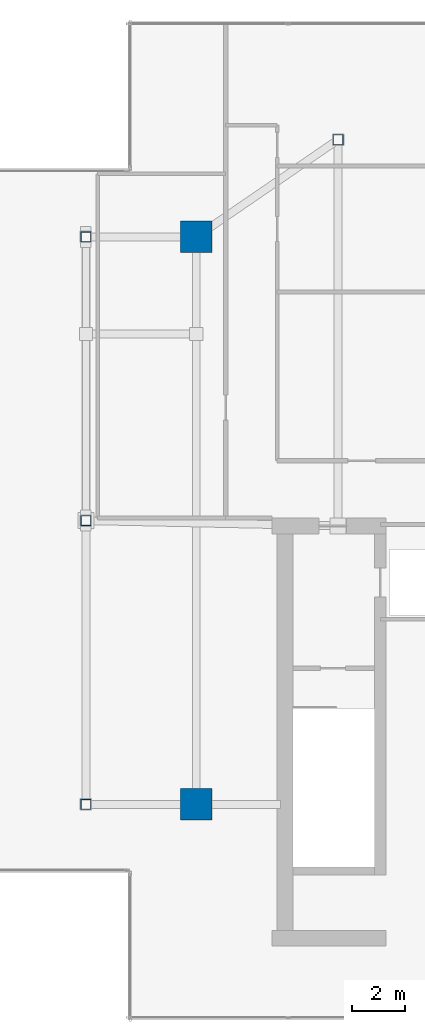
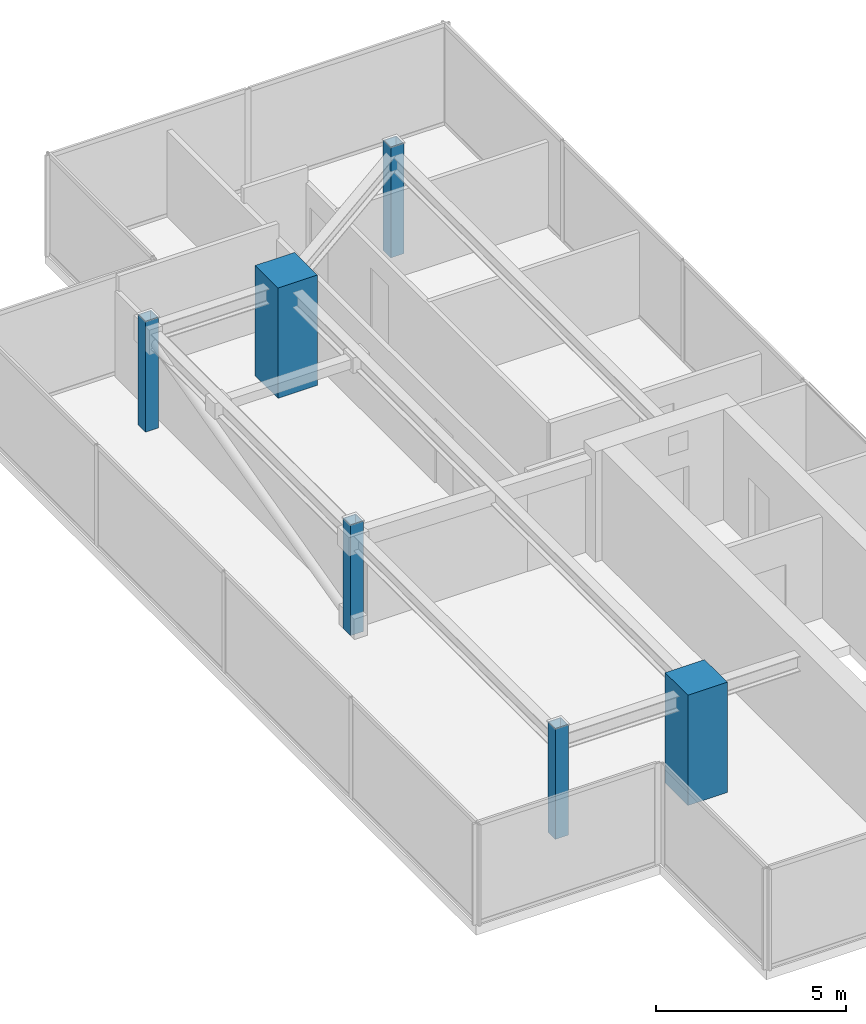
# One storey, part 1 of 16: 6 columns.
"""IFC4 building model written with IfcOpenShell, lengths in metres."""

import ifcopenshell
import ifcopenshell.guid

model = None  # the IFC model being written
_history = None  # IfcOwnerHistory: only IFC2X3 demands one
_inside = {}  # id of a spatial element -> (the spatial element, [elements in it])
_under = {}  # id of a project, library or spatial element -> (it, [spatial elements below it])
_declared = {}  # id of a project -> (the project, [libraries it declares])
_typed = {}  # id of a type object -> (the type object, [elements of that type])
_made_of = {}  # id of a material, layer set ... -> (it, [elements and type objects made of it])


def new_model(schema):
    """Start an empty IFC model of exactly this schema.

    Asked for "IFC4X3", IfcOpenShell would pick the latest addendum, in which some entities
    have other attributes; the version numbers below select the first issue.
    IFC2X3 requires an IfcOwnerHistory on every rooted entity: one is made here for all.
    """
    global model, _history
    if schema == "IFC4X3":
        model = ifcopenshell.file(schema_version=(4, 3, 0, 0))
    else:
        model = ifcopenshell.file(schema=schema)
    _inside.clear()
    _under.clear()
    _declared.clear()
    _typed.clear()
    _made_of.clear()
    _history = None
    if model.schema == "IFC2X3":
        org = make("IfcOrganization", Name="unknown")
        user = make(
            "IfcPersonAndOrganization",
            ThePerson=make("IfcPerson", FamilyName="unknown"),
            TheOrganization=org,
        )
        app = make(
            "IfcApplication",
            ApplicationDeveloper=org,
            Version="unknown",
            ApplicationFullName="unknown",
            ApplicationIdentifier="unknown",
        )
        _history = make(
            "IfcOwnerHistory",
            OwningUser=user,
            OwningApplication=app,
            ChangeAction="ADDED",
            CreationDate=0,
        )
    return model


def make(cls, **values):
    """One entity of the class cls with the attributes given. An attribute that is None is left unset."""
    return model.create_entity(
        cls, **{name: value for name, value in values.items() if value is not None}
    )


def rooted(cls, **values):
    """An entity with a GlobalId (a new one), such as an element, a storey or a relation."""
    return make(cls, GlobalId=ifcopenshell.guid.new(), OwnerHistory=_history, **values)


def si_unit(unit_type, name, prefix=None):
    """IfcSIUnit, for example si_unit("LENGTHUNIT", "METRE", prefix="MILLI")."""
    return make("IfcSIUnit", UnitType=unit_type, Prefix=prefix, Name=name)


def assignment(units):
    """IfcUnitAssignment: the units of a project."""
    return None if units is None else make("IfcUnitAssignment", Units=units)


def point(xyz):
    """IfcCartesianPoint."""
    return None if xyz is None else make("IfcCartesianPoint", Coordinates=xyz)


def direction(xyz):
    """IfcDirection."""
    return None if xyz is None else make("IfcDirection", DirectionRatios=xyz)


def frame(location, z_axis=None, x_axis=None):
    """IfcAxis2Placement3D, a coordinate frame: its origin and axes. An axis left out is left unset."""
    return make(
        "IfcAxis2Placement3D",
        Location=point(location),
        Axis=direction(z_axis),
        RefDirection=direction(x_axis),
    )


def frame_2d(location, x_axis=None):
    """IfcAxis2Placement2D, a coordinate frame in the plane: its origin and x axis."""
    return make(
        "IfcAxis2Placement2D", Location=point(location), RefDirection=direction(x_axis)
    )


def origin():
    """The frame at (0, 0, 0) with its axes left unset."""
    return frame((0.0, 0.0, 0.0))


def origin_2d():
    """The frame at (0, 0) in the plane with its x axis left unset."""
    return frame_2d((0.0, 0.0))


def place(relative_to, where):
    """IfcLocalPlacement: puts the frame where relative to a parent placement (None: the world)."""
    return make(
        "IfcLocalPlacement", PlacementRelTo=relative_to, RelativePlacement=where
    )


def context(
    kind, dimensions, precision=None, world=None, true_north=None, identifier=None
):
    """IfcGeometricRepresentationContext, for example the 3D "Model" context."""
    return make(
        "IfcGeometricRepresentationContext",
        ContextIdentifier=identifier,
        ContextType=kind,
        CoordinateSpaceDimension=dimensions,
        Precision=precision,
        WorldCoordinateSystem=world,
        TrueNorth=true_north,
    )


def subcontext(parent, identifier, kind, view, scale=None):
    """IfcGeometricRepresentationSubContext, for example "Body" below "Model"."""
    return make(
        "IfcGeometricRepresentationSubContext",
        ContextIdentifier=identifier,
        ContextType=kind,
        ParentContext=parent,
        TargetScale=scale,
        TargetView=view,
    )


def project(units=None, contexts=None):
    """IfcProject with its units and contexts."""
    return rooted(
        "IfcProject",
        Name="project",
        RepresentationContexts=contexts,
        UnitsInContext=assignment(units),
    )


def spatial(cls, under=None, at=None, **own):
    """A site, building, storey or space (cls), placed at a placement, below another one or the project."""
    s = rooted(cls, ObjectPlacement=at, **own)
    if under is not None:
        _under.setdefault(under.id(), (under, []))[1].append(s)
    return s


def profile(cls, at=None, kind="AREA", **sizes):
    """A parametric profile (cls). Its sizes go by their IFC names, for example OverallWidth=200.0."""
    return make(cls, ProfileType=kind, Position=at, **sizes)


def rectangle(**sizes):
    """IfcRectangleProfileDef."""
    return profile("IfcRectangleProfileDef", **sizes)


def hollow_rectangle(**sizes):
    """IfcRectangleHollowProfileDef."""
    return profile("IfcRectangleHollowProfileDef", **sizes)


def extrude(swept, where, along, depth):
    """IfcExtrudedAreaSolid: the profile swept, set in the frame where, extruded along a direction by depth."""
    return make(
        "IfcExtrudedAreaSolid",
        SweptArea=swept,
        Position=where,
        ExtrudedDirection=direction(along),
        Depth=depth,
    )


def shape(context_of_items, identifier, shape_type, items):
    """IfcShapeRepresentation: the items that make up one representation, for example the "Body"."""
    return make(
        "IfcShapeRepresentation",
        ContextOfItems=context_of_items,
        RepresentationIdentifier=identifier,
        RepresentationType=shape_type,
        Items=items,
    )


def source(mapping_origin, context_of_items, identifier, shape_type, items):
    """IfcRepresentationMap: a shape defined once, which mapped items show again and again."""
    return make(
        "IfcRepresentationMap",
        MappingOrigin=mapping_origin,
        MappedRepresentation=shape(context_of_items, identifier, shape_type, items),
    )


def transform(
    local_origin,
    x_axis=None,
    y_axis=None,
    z_axis=None,
    scale=None,
    scale2=None,
    scale3=None,
    uniform=True,
):
    """IfcCartesianTransformationOperator3D, or its non-uniform kind. x_axis, y_axis, z_axis: its Axis1, 2, 3."""
    if uniform:
        return make(
            "IfcCartesianTransformationOperator3D",
            Axis1=direction(x_axis),
            Axis2=direction(y_axis),
            LocalOrigin=point(local_origin),
            Scale=scale,
            Axis3=direction(z_axis),
        )
    return make(
        "IfcCartesianTransformationOperator3DnonUniform",
        Axis1=direction(x_axis),
        Axis2=direction(y_axis),
        LocalOrigin=point(local_origin),
        Scale=scale,
        Axis3=direction(z_axis),
        Scale2=scale2,
        Scale3=scale3,
    )


def mapped(mapping_source, mapping_target):
    """IfcMappedItem: shows the shape of a source again, moved by a transform."""
    return make(
        "IfcMappedItem", MappingSource=mapping_source, MappingTarget=mapping_target
    )


def material(Name=None, Category=None):
    """IfcMaterial."""
    return make("IfcMaterial", Name=Name, Category=Category)


def material_profile(
    of_material, cross_section, Name=None, Category=None, Priority=None
):
    """IfcMaterialProfile: a cross section and its material."""
    return make(
        "IfcMaterialProfile",
        Name=Name,
        Material=of_material,
        Profile=cross_section,
        Priority=Priority,
        Category=Category,
    )


def profile_set(profiles, Name=None, composite=None):
    """IfcMaterialProfileSet."""
    return make(
        "IfcMaterialProfileSet",
        Name=Name,
        MaterialProfiles=profiles,
        CompositeProfile=composite,
    )


def made_of(thing, what):
    """Note that an element or type object is made of a material, layer set ...; save() writes the relation."""
    if what is not None:
        _made_of.setdefault(what.id(), (what, []))[1].append(thing)
    return thing


def type_object(cls, material=None, **own):
    """A type object (cls), such as IfcWallType, which elements share."""
    return made_of(rooted(cls, **own), material)


def type_shapes(of_type, sources):
    """Give a type object the sources (RepresentationMaps) that its elements show as mapped items."""
    of_type.RepresentationMaps = sources


def element(
    cls,
    number,
    at=None,
    inside=None,
    cuts=None,
    type_object=None,
    material=None,
    context=None,
    identifier="Body",
    shape_type=None,
    held_by="IfcProductDefinitionShape",
    body=None,
    shapes=None,
    **own,
):
    """One element of the class cls, such as IfcWall. Its Tag is "e" and its number.

    at: its placement. inside: the storey or other place that contains it. cuts: it is an
    opening in that element (IfcRelVoidsElement). A single representation is given by context,
    identifier, shape_type and body (its items); several are given by shapes. held_by: the class
    of the entity that holds the representations. save() writes the other relations.
    """
    e = rooted(cls, Tag="e%d" % number, ObjectPlacement=at, **own)
    if body is not None:
        shapes = [shape(context, identifier, shape_type, body)]
    if shapes is not None:
        e.Representation = make(held_by, Representations=shapes)
    if inside is not None:
        _inside.setdefault(inside.id(), (inside, []))[1].append(e)
    if cuts is not None:
        rooted(
            "IfcRelVoidsElement", RelatingBuildingElement=cuts, RelatedOpeningElement=e
        )
    if type_object is not None:
        _typed.setdefault(type_object.id(), (type_object, []))[1].append(e)
    return made_of(e, material)


def aggregate(whole, parts):
    """IfcRelAggregates: a whole, such as a stair, and the parts it consists of."""
    return rooted("IfcRelAggregates", RelatingObject=whole, RelatedObjects=parts)


def save(model, path):
    """Write the relations noted so far, then the file.

    IfcRelAggregates (storeys below a building ...), IfcRelContainedInSpatialStructure (elements
    in a storey), IfcRelDefinesByType, IfcRelAssociatesMaterial and IfcRelDeclares: one each for
    every whole, place, type object, material and project.
    """
    for whole, parts in _under.values():
        aggregate(whole, parts)
    for where, things in _inside.values():
        rooted(
            "IfcRelContainedInSpatialStructure",
            RelatedElements=things,
            RelatingStructure=where,
        )
    for kind, things in _typed.values():
        rooted("IfcRelDefinesByType", RelatedObjects=things, RelatingType=kind)
    for what, things in _made_of.values():
        rooted("IfcRelAssociatesMaterial", RelatedObjects=things, RelatingMaterial=what)
    for by, libraries in _declared.values():
        rooted("IfcRelDeclares", RelatingContext=by, RelatedDefinitions=libraries)
    model.write(path)


model = new_model("IFC4")

# Units and contexts
model_context = context("Model", 3, precision=1e-05, world=origin(), true_north=direction((0.0, 1.0)))
body_context = subcontext(model_context, "Body", "Model", "MODEL_VIEW")
ifc_project = project(units=[si_unit("LENGTHUNIT", "METRE"), si_unit("AREAUNIT", "SQUARE_METRE"), si_unit("VOLUMEUNIT", "CUBIC_METRE"), si_unit("PLANEANGLEUNIT", "RADIAN"), si_unit("MASSUNIT", "GRAM", prefix="KILO")], contexts=[model_context])

# Site, building, storey
site_placement = place(None, origin())
site = spatial("IfcSite", under=ifc_project, at=site_placement, CompositionType="ELEMENT")
building_placement = place(site_placement, origin())
building = spatial("IfcBuilding", under=site, at=building_placement, Name="Krantzveldt Concourse Tower", CompositionType="ELEMENT")
storey_placement = place(building_placement, frame((0.0, 0.0, 385.449951171875)))
storey = spatial("IfcBuildingStorey", under=building, at=storey_placement, Name="L95", CompositionType="ELEMENT", Elevation=385.449951171875)

# Columns
ifc_material_1 = material(Name="Concrete C50/60", Category="concrete")
ifc_material_profile_1 = material_profile(ifc_material_1, rectangle(XDim=1.199951171875, YDim=1.199951171875, at=origin_2d()), Name="Concrete C50/60", Category="concrete")
ifc_profile_set_1 = profile_set([ifc_material_profile_1], Name="Concrete C50/60 - RC 1200x1200")
column_type_1 = type_object("IfcColumnType", Name="COL-MC-1200", PredefinedType="USERDEFINED", material=ifc_profile_set_1)
shared_shape_1 = source(origin(), body_context, "Body", "SweptSolid", [
    extrude(rectangle(XDim=1.199951171875, YDim=1.199951171875, at=origin_2d()), origin(), (0.0, 0.0, 1.0), 3.550048828125),
])
type_shapes(column_type_1, [shared_shape_1])
for number, where, z_axis, x_axis, name in (
    (1, (25.199951171875, 15.89990234375, 0.0), (0.0, 0.0, 1.0), (1.0, 0.0, 0.0), "MC-SW-L95"),
    (2, (25.199951171875, 37.5, 0.0), (0.0, 0.0, 1.0), (1.0, 0.0, 0.0), "MC-NW-L95"),
):
    element("IfcColumn", number, at=place(storey_placement, frame(where, z_axis=z_axis, x_axis=x_axis)), inside=storey, type_object=column_type_1, Name=name, ObjectType="MEGA COLUMN", PredefinedType="USERDEFINED", context=body_context, shape_type="MappedRepresentation", body=[
        mapped(shared_shape_1, transform((0.0, 0.0, 0.0), x_axis=(1.0, 0.0, 0.0), y_axis=(0.0, 1.0, 0.0), z_axis=(0.0, 0.0, 1.0), scale=1.0)),
    ])
ifc_material_2 = material(Name="Steel S355J2", Category="steel")
ifc_material_profile_2 = material_profile(ifc_material_2, hollow_rectangle(XDim=0.39990234375, YDim=0.39990234375, WallThickness=0.02490234375, at=origin_2d()), Name="Steel S355J2", Category="steel")
ifc_profile_set_2 = profile_set([ifc_material_profile_2], Name="Steel S355J2 - SHS 400x400x25")
column_type_2 = type_object("IfcColumnType", Name="COL-SC-SHS400", PredefinedType="COLUMN", material=ifc_profile_set_2)
shared_shape_2 = source(origin(), body_context, "Body", "SweptSolid", [
    extrude(hollow_rectangle(XDim=0.39990234375, YDim=0.39990234375, WallThickness=0.02490234375, at=origin_2d()), origin(), (0.0, 0.0, 1.0), 3.550048828125),
])
type_shapes(column_type_2, [shared_shape_2])
for number, where, z_axis, x_axis, name in (
    (3, (21.0, 15.89990234375, 0.0), (0.0, 0.0, 1.0), (1.0, 0.0, 0.0), "CC-L95-W1"),
    (4, (21.0, 26.699951171875, 0.0), (0.0, 0.0, 1.0), (1.0, 0.0, 0.0), "CC-L95-W2"),
    (5, (21.0, 37.5, 0.0), (0.0, 0.0, 1.0), (1.0, 0.0, 0.0), "CC-L95-W3"),
    (6, (30.60009765625, 41.199951171875, 0.0), (0.0, 0.0, 1.0), (1.0, 0.0, 0.0), "CC-L95-W4"),
):
    element("IfcColumn", number, at=place(storey_placement, frame(where, z_axis=z_axis, x_axis=x_axis)), inside=storey, type_object=column_type_2, Name=name, PredefinedType="COLUMN", context=body_context, shape_type="MappedRepresentation", body=[
        mapped(shared_shape_2, transform((0.0, 0.0, 0.0), x_axis=(1.0, 0.0, 0.0), y_axis=(0.0, 1.0, 0.0), z_axis=(0.0, 0.0, 1.0), scale=1.0)),
    ])

save(model, "model.ifc")
